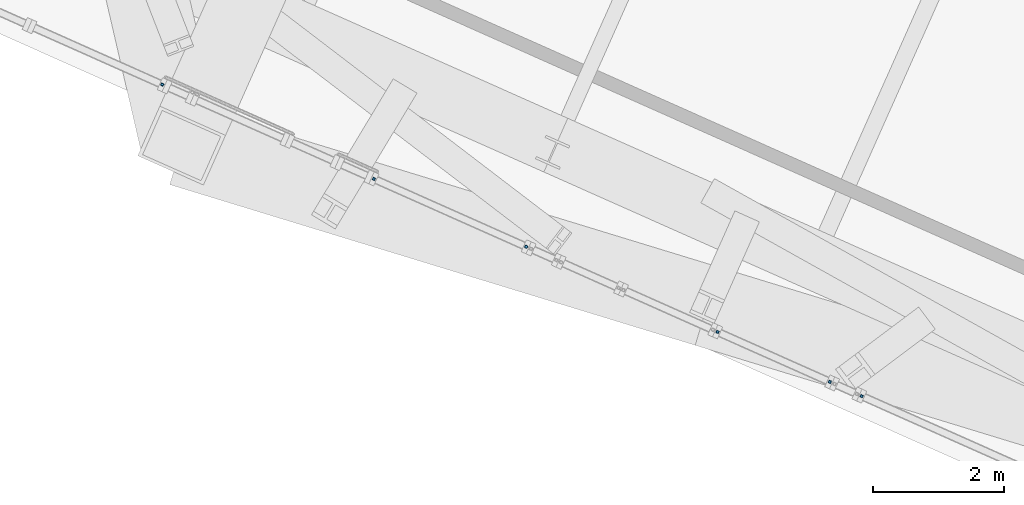
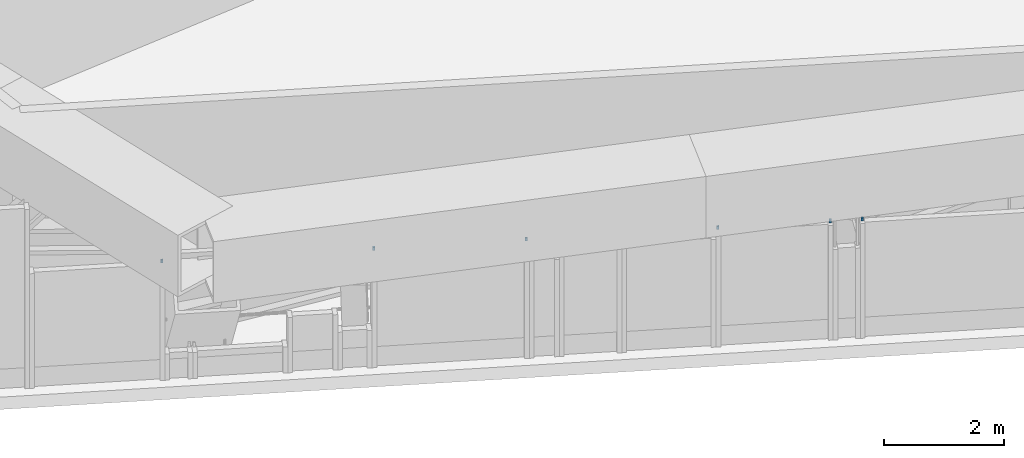
# One storey, part 25 of 30: 6 discrete accessories.
"""IFC4 building model written with IfcOpenShell, lengths in metres."""

from ifc_helpers import new_model, si_unit, direction, frame, origin, origin_2d, place, context, subcontext, project, spatial, rectangle, extrude, source, transform, mapped, material, element, save


model = new_model("IFC4")

# Units and contexts
model_context = context("Model", 3, precision=1e-05, world=origin(), true_north=direction((0.0, 1.0)))
body_context = subcontext(model_context, "Body", "Model", "MODEL_VIEW")
ifc_project = project(units=[si_unit("LENGTHUNIT", "METRE"), si_unit("AREAUNIT", "SQUARE_METRE"), si_unit("VOLUMEUNIT", "CUBIC_METRE"), si_unit("PLANEANGLEUNIT", "RADIAN"), si_unit("MASSUNIT", "GRAM", prefix="KILO")], contexts=[model_context])

# Site, building, storey
site_placement = place(None, origin())
site = spatial("IfcSite", under=ifc_project, at=site_placement, CompositionType="ELEMENT")
building_placement = place(site_placement, origin())
building = spatial("IfcBuilding", under=site, at=building_placement, Name="Triune Harvest Tower", CompositionType="ELEMENT")
storey_placement = place(building_placement, frame((0.0, 0.0, 94.5)))
storey = spatial("IfcBuildingStorey", under=building, at=storey_placement, Name="L23", CompositionType="ELEMENT", Elevation=94.5)

# Discrete accessories
ifc_material = material(Name="Steel ASTM A992 Gr 50", Category="steel")
shared_shape = source(origin(), body_context, "Body", "SweptSolid", [
    extrude(rectangle(XDim=0.0400390625, YDim=0.0400390625, at=origin_2d()), origin(), (0.0, 0.0, 1.0), 0.06005859375),
])
for number, where, z_axis, x_axis, name in (
    (1, (-30.431884765625, -11.296630859375, 2.330078125), (0.0, 0.0, 1.0), (0.913544037858, -0.406739831949, 0.0), "Mullion end bracket B2-F5 L23.101 upper"),
    (2, (-27.19140625, -12.739501953125, 2.330078125), (0.0, 0.0, 1.0), (0.913543327962, -0.406741426383, 0.0), "Mullion end bracket B2-F5 L23.601 upper"),
    (3, (-24.858642578125, -13.778076171875, 2.330078125), (0.0, 0.0, 1.0), (0.913543327962, -0.406741426383, 0.0), "Mullion end bracket B2-F5 L23.601 upper"),
    (4, (-21.92919921875, -15.08251953125, 2.330078125), (0.0, 0.0, 1.0), (0.913541908161, -0.406744615248, 0.0), "Mullion end bracket B2-F5 L23.1001 upper"),
    (5, (-20.210693359375, -15.847412109375, 2.330078125), (0.0, 0.0, 1.0), (0.913541908161, -0.406744615248, 0.0), "Mullion end bracket B2-F5 L23.1001 upper"),
    (6, (-19.7216796875, -16.065185546875, 2.330078125), (0.0, 0.0, 1.0), (0.913545457643, -0.406736643076, 0.0), "Mullion end bracket B2-F5 L23.1201 upper"),
):
    element("IfcDiscreteAccessory", number, at=place(storey_placement, frame(where, z_axis=z_axis, x_axis=x_axis)), inside=storey, material=ifc_material, Name=name, ObjectType="BRACKET", PredefinedType="USERDEFINED", context=body_context, shape_type="MappedRepresentation", body=[
        mapped(shared_shape, transform((0.0, 0.0, 0.0), scale=1.0)),
    ])

save(model, "model.ifc")
